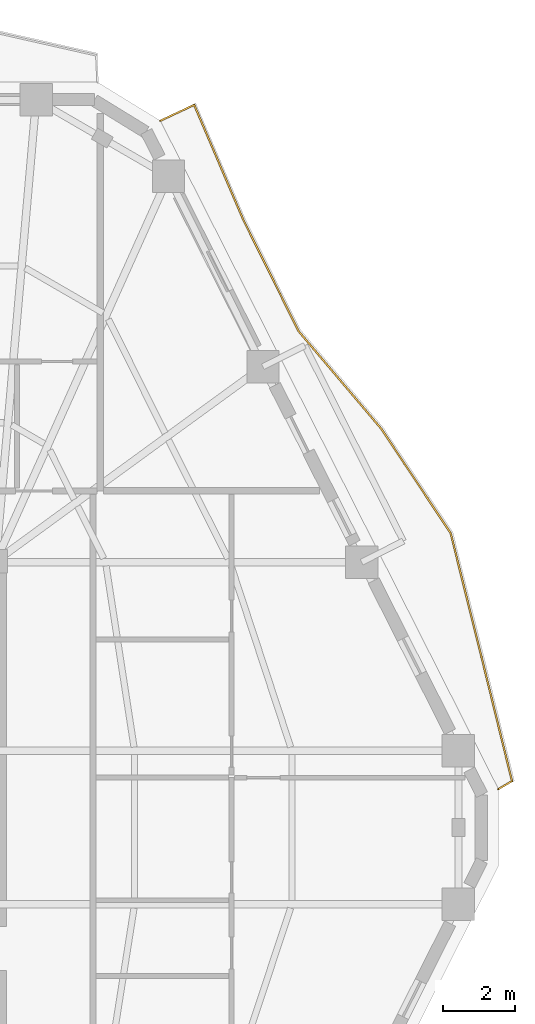
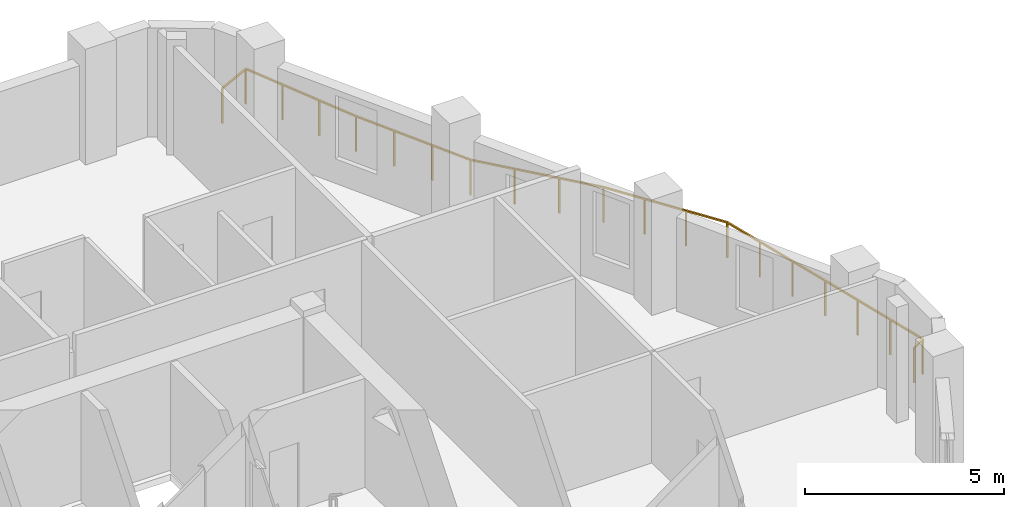
# One storey, part 11 of 11: 1 railing.
"""IFC4 building model written with IfcOpenShell, lengths in metres."""

from ifc_helpers import new_model, si_unit, direction, frame, origin, origin_2d, place, context, subcontext, project, spatial, rectangle, extrude, material, type_object, element, save


model = new_model("IFC4")

# Units and contexts
model_context = context("Model", 3, precision=1e-05, world=origin(), true_north=direction((0.0, 1.0)))
body_context = subcontext(model_context, "Body", "Model", "MODEL_VIEW")
ifc_project = project(units=[si_unit("LENGTHUNIT", "METRE"), si_unit("AREAUNIT", "SQUARE_METRE"), si_unit("VOLUMEUNIT", "CUBIC_METRE"), si_unit("PLANEANGLEUNIT", "RADIAN"), si_unit("MASSUNIT", "GRAM", prefix="KILO")], contexts=[model_context])

# Site, building, storey
site_placement = place(None, origin())
site = spatial("IfcSite", under=ifc_project, at=site_placement, CompositionType="ELEMENT")
building_placement = place(site_placement, origin())
building = spatial("IfcBuilding", under=site, at=building_placement, Name="Cinnabar Lancet Tower", CompositionType="ELEMENT")
storey_placement = place(building_placement, frame((0.0, 0.0, 179.0)))
storey = spatial("IfcBuildingStorey", under=building, at=storey_placement, Name="L47", CompositionType="ELEMENT", Elevation=179.0)

# Railing
ifc_material = material(Name="Laminated safety glass and bronze stainless steel balustrade", Category="steel")
railing_type = type_object("IfcRailingType", Name="ENV-RLG-BAL-1100", PredefinedType="BALUSTRADE", material=ifc_material)
railing_placement = place(storey_placement, frame((55.657958984375, 26.87109375, 0.0)))
element("IfcRailing", 1, at=railing_placement, inside=storey, type_object=railing_type, Name="L47 Face 3 Wave Balcony Balustrade", PredefinedType="BALUSTRADE", context=body_context, shape_type="SweptSolid", body=[
    extrude(rectangle(XDim=0.048095703125, YDim=0.048095703125, at=origin_2d()), frame((0.0, 0.0, 1.076171875), z_axis=(0.861171347006, 0.508314775603, 0.0), x_axis=(-0.508314775603, 0.861171347006, 0.0)), (0.0, 0.0, 1.0), 0.4365234375),
    extrude(rectangle(XDim=0.048095703125, YDim=0.048095703125, at=origin_2d()), frame((0.3759765625, 0.221923828125, 1.076171875), z_axis=(-0.238728546247, 0.971086340758, 0.0), x_axis=(-0.971086340758, -0.238728546247, 0.0)), (0.0, 0.0, 1.0), 3.547607421875),
    extrude(rectangle(XDim=0.048095703125, YDim=0.048095703125, at=origin_2d()), frame((-0.470947265625, 3.6669921875, 1.076171875), z_axis=(-0.241725333206, 0.970344713639, 0.0), x_axis=(-0.970344713639, -0.241725333206, 0.0)), (0.0, 0.0, 1.0), 3.545166015625),
    extrude(rectangle(XDim=0.048095703125, YDim=0.048095703125, at=origin_2d()), frame((-1.327880859375, 7.10693359375, 1.076171875), z_axis=(-0.553647057907, 0.832751424658, 0.0), x_axis=(-0.832751424658, -0.553647057907, 0.0)), (0.0, 0.0, 1.0), 3.478759765625),
    extrude(rectangle(XDim=0.048095703125, YDim=0.048095703125, at=origin_2d()), frame((-3.25390625, 10.00390625, 1.076171875), z_axis=(-0.646474927617, 0.762935231827, 0.0), x_axis=(-0.762935231827, -0.646474927617, 0.0)), (0.0, 0.0, 1.0), 3.55322265625),
    extrude(rectangle(XDim=0.048095703125, YDim=0.048095703125, at=origin_2d()), frame((-5.551025390625, 12.71484375, 1.076171875), z_axis=(-0.444413952633, 0.895821544006, 0.0), x_axis=(-0.895821544006, -0.444413952633, 0.0)), (0.0, 0.0, 1.0), 3.4560546875),
    extrude(rectangle(XDim=0.048095703125, YDim=0.048095703125, at=origin_2d()), frame((-7.0869140625, 15.810791015625, 1.076171875), z_axis=(-0.392992429952, 0.919541706504, 0.0), x_axis=(-0.919541706504, -0.392992429952, 0.0)), (0.0, 0.0, 1.0), 3.4658203125),
    extrude(rectangle(XDim=0.048095703125, YDim=0.048095703125, at=origin_2d()), frame((-8.448974609375, 18.997802734375, 1.076171875), z_axis=(-0.90553244092, -0.424277030301, 0.0), x_axis=(0.424277030301, -0.90553244092, 0.0)), (0.0, 0.0, 1.0), 1.036865234375),
    extrude(rectangle(XDim=0.0419921875, YDim=0.0419921875, at=origin_2d()), origin(), (0.0, 0.0, 1.0), 1.052001953125),
    extrude(rectangle(XDim=0.0419921875, YDim=0.0419921875, at=origin_2d()), frame((0.3759765625, 0.221923828125, 0.0)), (0.0, 0.0, 1.0), 1.052001953125),
    extrude(rectangle(XDim=0.0419921875, YDim=0.0419921875, at=origin_2d()), frame((0.09375, 1.370361328125, 0.0)), (0.0, 0.0, 1.0), 1.052001953125),
    extrude(rectangle(XDim=0.0419921875, YDim=0.0419921875, at=origin_2d()), frame((-0.188720703125, 2.5185546875, 0.0)), (0.0, 0.0, 1.0), 1.052001953125),
    extrude(rectangle(XDim=0.0419921875, YDim=0.0419921875, at=origin_2d()), frame((-0.470947265625, 3.6669921875, 0.0)), (0.0, 0.0, 1.0), 1.052001953125),
    extrude(rectangle(XDim=0.0419921875, YDim=0.0419921875, at=origin_2d()), frame((-0.756591796875, 4.813720703125, 0.0)), (0.0, 0.0, 1.0), 1.052001953125),
    extrude(rectangle(XDim=0.0419921875, YDim=0.0419921875, at=origin_2d()), frame((-1.042236328125, 5.960205078125, 0.0)), (0.0, 0.0, 1.0), 1.052001953125),
    extrude(rectangle(XDim=0.0419921875, YDim=0.0419921875, at=origin_2d()), frame((-1.327880859375, 7.10693359375, 0.0)), (0.0, 0.0, 1.0), 1.052001953125),
    extrude(rectangle(XDim=0.0419921875, YDim=0.0419921875, at=origin_2d()), frame((-1.969970703125, 8.072509765625, 0.0)), (0.0, 0.0, 1.0), 1.052001953125),
    extrude(rectangle(XDim=0.0419921875, YDim=0.0419921875, at=origin_2d()), frame((-2.61181640625, 9.038330078125, 0.0)), (0.0, 0.0, 1.0), 1.052001953125),
    extrude(rectangle(XDim=0.0419921875, YDim=0.0419921875, at=origin_2d()), frame((-3.25390625, 10.00390625, 0.0)), (0.0, 0.0, 1.0), 1.052001953125),
    extrude(rectangle(XDim=0.0419921875, YDim=0.0419921875, at=origin_2d()), frame((-4.01953125, 10.907470703125, 0.0)), (0.0, 0.0, 1.0), 1.052001953125),
    extrude(rectangle(XDim=0.0419921875, YDim=0.0419921875, at=origin_2d()), frame((-4.785400390625, 11.811279296875, 0.0)), (0.0, 0.0, 1.0), 1.052001953125),
    extrude(rectangle(XDim=0.0419921875, YDim=0.0419921875, at=origin_2d()), frame((-5.551025390625, 12.71484375, 0.0)), (0.0, 0.0, 1.0), 1.052001953125),
    extrude(rectangle(XDim=0.0419921875, YDim=0.0419921875, at=origin_2d()), frame((-6.06298828125, 13.746826171875, 0.0)), (0.0, 0.0, 1.0), 1.052001953125),
    extrude(rectangle(XDim=0.0419921875, YDim=0.0419921875, at=origin_2d()), frame((-6.574951171875, 14.77880859375, 0.0)), (0.0, 0.0, 1.0), 1.052001953125),
    extrude(rectangle(XDim=0.0419921875, YDim=0.0419921875, at=origin_2d()), frame((-7.0869140625, 15.810791015625, 0.0)), (0.0, 0.0, 1.0), 1.052001953125),
    extrude(rectangle(XDim=0.0419921875, YDim=0.0419921875, at=origin_2d()), frame((-7.541015625, 16.873046875, 0.0)), (0.0, 0.0, 1.0), 1.052001953125),
    extrude(rectangle(XDim=0.0419921875, YDim=0.0419921875, at=origin_2d()), frame((-7.994873046875, 17.935546875, 0.0)), (0.0, 0.0, 1.0), 1.052001953125),
    extrude(rectangle(XDim=0.0419921875, YDim=0.0419921875, at=origin_2d()), frame((-8.448974609375, 18.997802734375, 0.0)), (0.0, 0.0, 1.0), 1.052001953125),
    extrude(rectangle(XDim=0.0419921875, YDim=0.0419921875, at=origin_2d()), frame((-9.387939453125, 18.557861328125, 0.0)), (0.0, 0.0, 1.0), 1.052001953125),
])

save(model, "model.ifc")
